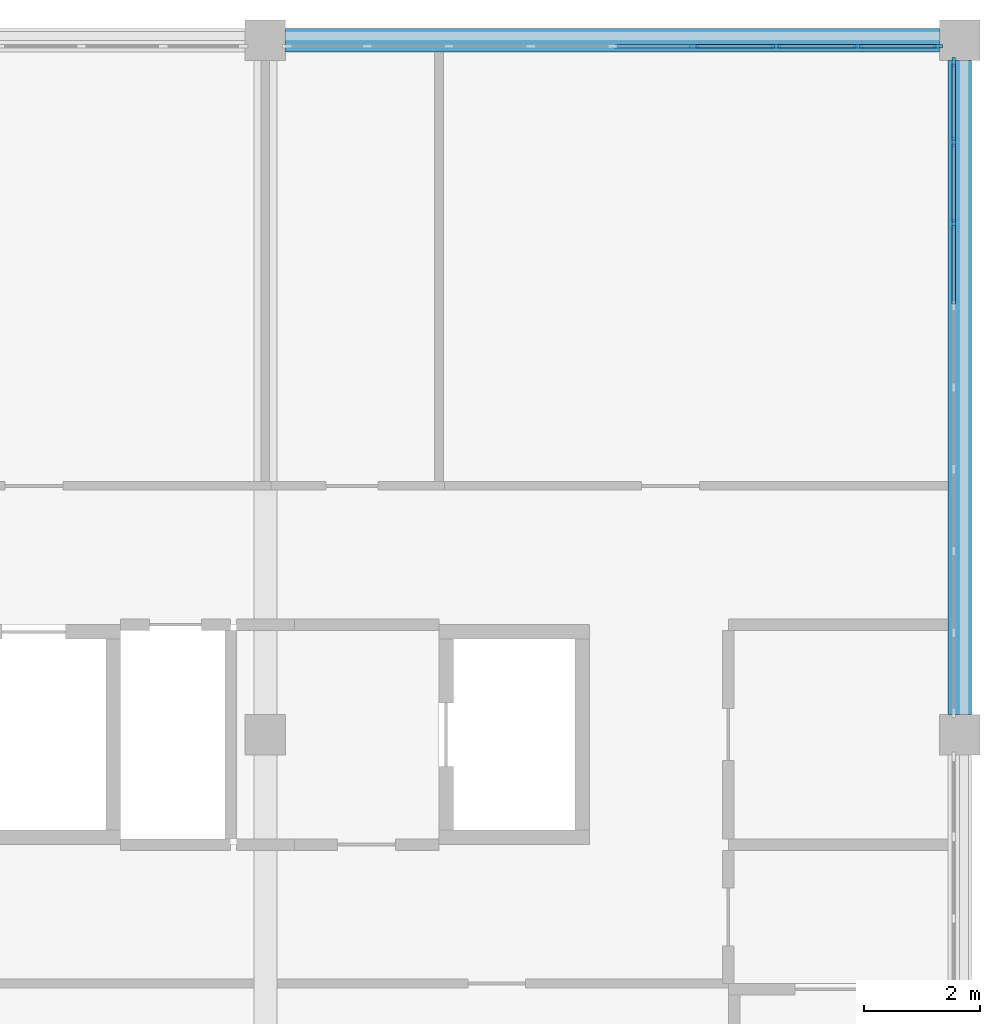
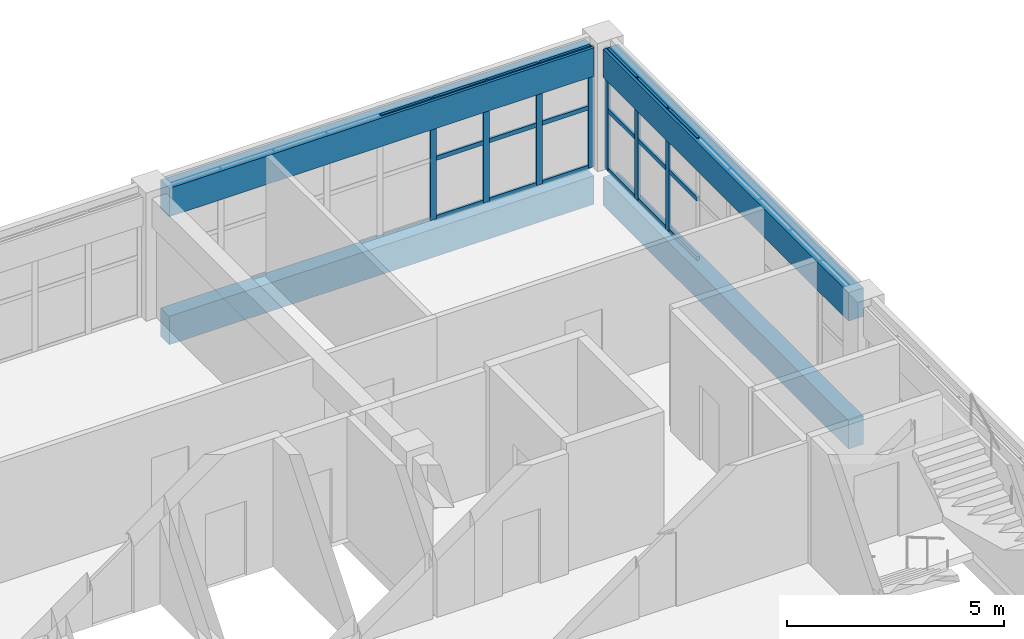
# One storey, part 9 of 16: 26 members, 4 beams, 2 elements without a shape of their own.
"""IFC4 building model written with IfcOpenShell, lengths in metres."""

from ifc_helpers import new_model, si_unit, direction, frame, origin, origin_2d, place, context, subcontext, project, spatial, rectangle, extrude, material, layer, layer_set, material_profile, profile_set, type_object, element, aggregate, save


model = new_model("IFC4")

# Units and contexts
model_context = context("Model", 3, precision=1e-05, world=origin(), true_north=direction((0.0, 1.0)))
body_context = subcontext(model_context, "Body", "Model", "MODEL_VIEW")
ifc_project = project(units=[si_unit("LENGTHUNIT", "METRE"), si_unit("AREAUNIT", "SQUARE_METRE"), si_unit("VOLUMEUNIT", "CUBIC_METRE"), si_unit("PLANEANGLEUNIT", "RADIAN"), si_unit("MASSUNIT", "GRAM", prefix="KILO")], contexts=[model_context])

# Site, building, storey
site_placement = place(None, origin())
site = spatial("IfcSite", under=ifc_project, at=site_placement, CompositionType="ELEMENT")
building_placement = place(site_placement, origin())
building = spatial("IfcBuilding", under=site, at=building_placement, Name="Lilac Gate Convention Centre", CompositionType="ELEMENT")
storey_placement = place(building_placement, frame((0.0, 0.0, 67.800048828125)))
storey = spatial("IfcBuildingStorey", under=building, at=storey_placement, Name="L17", CompositionType="ELEMENT", Elevation=67.800048828125)

# Curtain wall, members
ifc_material_1 = material(Name="Aluminium framed double glazing", Category="aluminium")
ifc_layer = layer(ifc_material_1, 0.199951171875)
ifc_layer_set = layer_set([ifc_layer], Name="Aluminium framed double glazing")
curtain_wall_type = type_object("IfcCurtainWallType", Name="Unitised curtain wall 1500", PredefinedType="NOTDEFINED", material=ifc_layer_set)
curtain_wall_1_placement = place(storey_placement, origin())
curtain_wall_1 = element("IfcCurtainWall", 1, at=curtain_wall_1_placement, inside=storey, type_object=curtain_wall_type, Name="Curtain wall E L17 2", PredefinedType="NOTDEFINED")
ifc_material_2 = material(Name="Aluminium alloy 6063", Category="aluminium")
ifc_material_profile_1 = material_profile(ifc_material_2, rectangle(XDim=0.06005859375, YDim=0.159912109375, at=origin_2d()), Name="Curtain wall mullion 60 x 160")
ifc_profile_set_1 = profile_set([ifc_material_profile_1], Name="Aluminium alloy 6063")
member_type_1 = type_object("IfcMemberType", Name="Curtain wall mullion 60 x 160", PredefinedType="MULLION", material=ifc_profile_set_1)
member_1_placement = place(storey_placement, frame((89.89990234375, 242.824951171875, 0.0), z_axis=(0.0, 0.0, 1.0), x_axis=(-1.0, 0.0, 0.0)))
member_1 = element("IfcMember", 2, at=member_1_placement, type_object=member_type_1, Name="CW mullion 7", PredefinedType="MULLION", context=body_context, shape_type="SweptSolid", body=[
    extrude(rectangle(XDim=0.06005859375, YDim=0.159912109375, at=origin_2d()), origin(), (0.0, 0.0, 1.0), 3.39990234375),
])
member_2_placement = place(storey_placement, frame((89.89990234375, 244.237548828125, 0.0), z_axis=(0.0, 0.0, 1.0), x_axis=(-1.0, 0.0, 0.0)))
member_2 = element("IfcMember", 3, at=member_2_placement, type_object=member_type_1, Name="CW mullion 8", PredefinedType="MULLION", context=body_context, shape_type="SweptSolid", body=[
    extrude(rectangle(XDim=0.06005859375, YDim=0.159912109375, at=origin_2d()), origin(), (0.0, 0.0, 1.0), 3.39990234375),
])
member_3_placement = place(storey_placement, frame((89.89990234375, 245.619873046875, 0.0), z_axis=(0.0, 0.0, 1.0), x_axis=(-1.0, 0.0, 0.0)))
member_3 = element("IfcMember", 4, at=member_3_placement, type_object=member_type_1, Name="CW mullion 9", PredefinedType="MULLION", context=body_context, shape_type="SweptSolid", body=[
    extrude(rectangle(XDim=0.06005859375, YDim=0.159912109375, at=origin_2d()), origin(), (0.0, 0.0, 1.0), 3.39990234375),
])

curtain_wall_2_placement = place(storey_placement, origin())
curtain_wall_2 = element("IfcCurtainWall", 5, at=curtain_wall_2_placement, inside=storey, type_object=curtain_wall_type, Name="Curtain wall N L17 1", PredefinedType="NOTDEFINED")
member_4_placement = place(storey_placement, frame((89.619873046875, 245.89990234375, 0.0), z_axis=(0.0, 0.0, 1.0), x_axis=(0.0, -1.0, 0.0)))
member_4 = element("IfcMember", 6, at=member_4_placement, type_object=member_type_1, Name="CW mullion 1", PredefinedType="MULLION", context=body_context, shape_type="SweptSolid", body=[
    extrude(rectangle(XDim=0.06005859375, YDim=0.159912109375, at=origin_2d()), origin(), (0.0, 0.0, 1.0), 3.39990234375),
])
member_5_placement = place(storey_placement, frame((88.237548828125, 245.89990234375, 0.0), z_axis=(0.0, 0.0, 1.0), x_axis=(0.0, -1.0, 0.0)))
member_5 = element("IfcMember", 7, at=member_5_placement, type_object=member_type_1, Name="CW mullion 2", PredefinedType="MULLION", context=body_context, shape_type="SweptSolid", body=[
    extrude(rectangle(XDim=0.06005859375, YDim=0.159912109375, at=origin_2d()), origin(), (0.0, 0.0, 1.0), 3.39990234375),
])
member_6_placement = place(storey_placement, frame((86.824951171875, 245.89990234375, 0.0), z_axis=(0.0, 0.0, 1.0), x_axis=(0.0, -1.0, 0.0)))
member_6 = element("IfcMember", 8, at=member_6_placement, type_object=member_type_1, Name="CW mullion 3", PredefinedType="MULLION", context=body_context, shape_type="SweptSolid", body=[
    extrude(rectangle(XDim=0.06005859375, YDim=0.159912109375, at=origin_2d()), origin(), (0.0, 0.0, 1.0), 3.39990234375),
])
member_7_placement = place(storey_placement, frame((85.41259765625, 245.89990234375, 0.0), z_axis=(0.0, 0.0, 1.0), x_axis=(0.0, -1.0, 0.0)))
member_7 = element("IfcMember", 9, at=member_7_placement, type_object=member_type_1, Name="CW mullion 4", PredefinedType="MULLION", context=body_context, shape_type="SweptSolid", body=[
    extrude(rectangle(XDim=0.06005859375, YDim=0.159912109375, at=origin_2d()), origin(), (0.0, 0.0, 1.0), 3.39990234375),
])

# Member
ifc_material_profile_2 = material_profile(ifc_material_2, rectangle(XDim=0.06005859375, YDim=0.1201171875, at=origin_2d()), Name="Curtain wall transom 60 x 120")
ifc_profile_set_2 = profile_set([ifc_material_profile_2], Name="Aluminium alloy 6063")
member_type_2 = type_object("IfcMemberType", Name="Curtain wall transom 60 x 120", PredefinedType="USERDEFINED", material=ifc_profile_set_2)
member_8_placement = place(storey_placement, frame((89.89990234375, 241.4423828125, 0.030029296875), z_axis=(0.0, 1.0, 0.0), x_axis=(-1.0, 0.0, 0.0)))
member_8 = element("IfcMember", 10, at=member_8_placement, type_object=member_type_2, Name="CW transom 6.1", ObjectType="TRANSOM", PredefinedType="USERDEFINED", context=body_context, shape_type="SweptSolid", body=[
    extrude(rectangle(XDim=0.06005859375, YDim=0.1201171875, at=origin_2d()), origin(), (0.0, 0.0, 1.0), 1.3525390625),
])

member_9_placement = place(storey_placement, frame((89.89990234375, 241.4423828125, 1.699951171875), z_axis=(0.0, 1.0, 0.0), x_axis=(-1.0, 0.0, 0.0)))
member_9 = element("IfcMember", 11, at=member_9_placement, type_object=member_type_2, Name="CW transom 6.2", ObjectType="TRANSOM", PredefinedType="USERDEFINED", context=body_context, shape_type="SweptSolid", body=[
    extrude(rectangle(XDim=0.06005859375, YDim=0.1201171875, at=origin_2d()), origin(), (0.0, 0.0, 1.0), 1.3525390625),
])

member_10_placement = place(storey_placement, frame((89.89990234375, 241.4423828125, 3.369873046875), z_axis=(0.0, 1.0, 0.0), x_axis=(-1.0, 0.0, 0.0)))
member_10 = element("IfcMember", 12, at=member_10_placement, type_object=member_type_2, Name="CW transom 6.3", ObjectType="TRANSOM", PredefinedType="USERDEFINED", context=body_context, shape_type="SweptSolid", body=[
    extrude(rectangle(XDim=0.06005859375, YDim=0.1201171875, at=origin_2d()), origin(), (0.0, 0.0, 1.0), 1.3525390625),
])

member_11_placement = place(storey_placement, frame((89.89990234375, 242.85498046875, 0.030029296875), z_axis=(0.0, 1.0, 0.0), x_axis=(-1.0, 0.0, 0.0)))
member_11 = element("IfcMember", 13, at=member_11_placement, type_object=member_type_2, Name="CW transom 7.1", ObjectType="TRANSOM", PredefinedType="USERDEFINED", context=body_context, shape_type="SweptSolid", body=[
    extrude(rectangle(XDim=0.06005859375, YDim=0.1201171875, at=origin_2d()), origin(), (0.0, 0.0, 1.0), 1.3525390625),
])

member_12_placement = place(storey_placement, frame((89.89990234375, 242.85498046875, 1.699951171875), z_axis=(0.0, 1.0, 0.0), x_axis=(-1.0, 0.0, 0.0)))
member_12 = element("IfcMember", 14, at=member_12_placement, type_object=member_type_2, Name="CW transom 7.2", ObjectType="TRANSOM", PredefinedType="USERDEFINED", context=body_context, shape_type="SweptSolid", body=[
    extrude(rectangle(XDim=0.06005859375, YDim=0.1201171875, at=origin_2d()), origin(), (0.0, 0.0, 1.0), 1.3525390625),
])

member_13_placement = place(storey_placement, frame((89.89990234375, 242.85498046875, 3.369873046875), z_axis=(0.0, 1.0, 0.0), x_axis=(-1.0, 0.0, 0.0)))
member_13 = element("IfcMember", 15, at=member_13_placement, type_object=member_type_2, Name="CW transom 7.3", ObjectType="TRANSOM", PredefinedType="USERDEFINED", context=body_context, shape_type="SweptSolid", body=[
    extrude(rectangle(XDim=0.06005859375, YDim=0.1201171875, at=origin_2d()), origin(), (0.0, 0.0, 1.0), 1.3525390625),
])

member_14_placement = place(storey_placement, frame((89.89990234375, 244.267333984375, 0.030029296875), z_axis=(0.0, 1.0, 0.0), x_axis=(-1.0, 0.0, 0.0)))
member_14 = element("IfcMember", 16, at=member_14_placement, type_object=member_type_2, Name="CW transom 8.1", ObjectType="TRANSOM", PredefinedType="USERDEFINED", context=body_context, shape_type="SweptSolid", body=[
    extrude(rectangle(XDim=0.06005859375, YDim=0.1201171875, at=origin_2d()), origin(), (0.0, 0.0, 1.0), 1.322509765625),
])

member_15_placement = place(storey_placement, frame((89.89990234375, 244.267333984375, 1.699951171875), z_axis=(0.0, 1.0, 0.0), x_axis=(-1.0, 0.0, 0.0)))
member_15 = element("IfcMember", 17, at=member_15_placement, type_object=member_type_2, Name="CW transom 8.2", ObjectType="TRANSOM", PredefinedType="USERDEFINED", context=body_context, shape_type="SweptSolid", body=[
    extrude(rectangle(XDim=0.06005859375, YDim=0.1201171875, at=origin_2d()), origin(), (0.0, 0.0, 1.0), 1.322509765625),
])

member_16_placement = place(storey_placement, frame((89.89990234375, 244.267333984375, 3.369873046875), z_axis=(0.0, 1.0, 0.0), x_axis=(-1.0, 0.0, 0.0)))
member_16 = element("IfcMember", 18, at=member_16_placement, type_object=member_type_2, Name="CW transom 8.3", ObjectType="TRANSOM", PredefinedType="USERDEFINED", context=body_context, shape_type="SweptSolid", body=[
    extrude(rectangle(XDim=0.06005859375, YDim=0.1201171875, at=origin_2d()), origin(), (0.0, 0.0, 1.0), 1.322509765625),
])

aggregate(curtain_wall_1, [member_1, member_2, member_3, member_8, member_9, member_10, member_11, member_12, member_13, member_14, member_15, member_16])

member_17_placement = place(storey_placement, frame((89.58984375, 245.89990234375, 0.030029296875), z_axis=(-1.0, 0.0, 0.0), x_axis=(0.0, -1.0, 0.0)))
member_17 = element("IfcMember", 19, at=member_17_placement, type_object=member_type_2, Name="CW transom 1.1", ObjectType="TRANSOM", PredefinedType="USERDEFINED", context=body_context, shape_type="SweptSolid", body=[
    extrude(rectangle(XDim=0.06005859375, YDim=0.1201171875, at=origin_2d()), origin(), (0.0, 0.0, 1.0), 1.322509765625),
])

member_18_placement = place(storey_placement, frame((89.58984375, 245.89990234375, 1.699951171875), z_axis=(-1.0, 0.0, 0.0), x_axis=(0.0, -1.0, 0.0)))
member_18 = element("IfcMember", 20, at=member_18_placement, type_object=member_type_2, Name="CW transom 1.2", ObjectType="TRANSOM", PredefinedType="USERDEFINED", context=body_context, shape_type="SweptSolid", body=[
    extrude(rectangle(XDim=0.06005859375, YDim=0.1201171875, at=origin_2d()), origin(), (0.0, 0.0, 1.0), 1.322509765625),
])

member_19_placement = place(storey_placement, frame((89.58984375, 245.89990234375, 3.369873046875), z_axis=(-1.0, 0.0, 0.0), x_axis=(0.0, -1.0, 0.0)))
member_19 = element("IfcMember", 21, at=member_19_placement, type_object=member_type_2, Name="CW transom 1.3", ObjectType="TRANSOM", PredefinedType="USERDEFINED", context=body_context, shape_type="SweptSolid", body=[
    extrude(rectangle(XDim=0.06005859375, YDim=0.1201171875, at=origin_2d()), origin(), (0.0, 0.0, 1.0), 1.322509765625),
])

member_20_placement = place(storey_placement, frame((88.20751953125, 245.89990234375, 0.030029296875), z_axis=(-1.0, 0.0, 0.0), x_axis=(0.0, -1.0, 0.0)))
member_20 = element("IfcMember", 22, at=member_20_placement, type_object=member_type_2, Name="CW transom 2.1", ObjectType="TRANSOM", PredefinedType="USERDEFINED", context=body_context, shape_type="SweptSolid", body=[
    extrude(rectangle(XDim=0.06005859375, YDim=0.1201171875, at=origin_2d()), origin(), (0.0, 0.0, 1.0), 1.3525390625),
])

member_21_placement = place(storey_placement, frame((88.20751953125, 245.89990234375, 1.699951171875), z_axis=(-1.0, 0.0, 0.0), x_axis=(0.0, -1.0, 0.0)))
member_21 = element("IfcMember", 23, at=member_21_placement, type_object=member_type_2, Name="CW transom 2.2", ObjectType="TRANSOM", PredefinedType="USERDEFINED", context=body_context, shape_type="SweptSolid", body=[
    extrude(rectangle(XDim=0.06005859375, YDim=0.1201171875, at=origin_2d()), origin(), (0.0, 0.0, 1.0), 1.3525390625),
])

member_22_placement = place(storey_placement, frame((88.20751953125, 245.89990234375, 3.369873046875), z_axis=(-1.0, 0.0, 0.0), x_axis=(0.0, -1.0, 0.0)))
member_22 = element("IfcMember", 24, at=member_22_placement, type_object=member_type_2, Name="CW transom 2.3", ObjectType="TRANSOM", PredefinedType="USERDEFINED", context=body_context, shape_type="SweptSolid", body=[
    extrude(rectangle(XDim=0.06005859375, YDim=0.1201171875, at=origin_2d()), origin(), (0.0, 0.0, 1.0), 1.3525390625),
])

member_23_placement = place(storey_placement, frame((86.794921875, 245.89990234375, 0.030029296875), z_axis=(-1.0, 0.0, 0.0), x_axis=(0.0, -1.0, 0.0)))
member_23 = element("IfcMember", 25, at=member_23_placement, type_object=member_type_2, Name="CW transom 3.1", ObjectType="TRANSOM", PredefinedType="USERDEFINED", context=body_context, shape_type="SweptSolid", body=[
    extrude(rectangle(XDim=0.06005859375, YDim=0.1201171875, at=origin_2d()), origin(), (0.0, 0.0, 1.0), 1.3525390625),
])

member_24_placement = place(storey_placement, frame((86.794921875, 245.89990234375, 1.699951171875), z_axis=(-1.0, 0.0, 0.0), x_axis=(0.0, -1.0, 0.0)))
member_24 = element("IfcMember", 26, at=member_24_placement, type_object=member_type_2, Name="CW transom 3.2", ObjectType="TRANSOM", PredefinedType="USERDEFINED", context=body_context, shape_type="SweptSolid", body=[
    extrude(rectangle(XDim=0.06005859375, YDim=0.1201171875, at=origin_2d()), origin(), (0.0, 0.0, 1.0), 1.3525390625),
])

member_25_placement = place(storey_placement, frame((86.794921875, 245.89990234375, 3.369873046875), z_axis=(-1.0, 0.0, 0.0), x_axis=(0.0, -1.0, 0.0)))
member_25 = element("IfcMember", 27, at=member_25_placement, type_object=member_type_2, Name="CW transom 3.3", ObjectType="TRANSOM", PredefinedType="USERDEFINED", context=body_context, shape_type="SweptSolid", body=[
    extrude(rectangle(XDim=0.06005859375, YDim=0.1201171875, at=origin_2d()), origin(), (0.0, 0.0, 1.0), 1.3525390625),
])

member_26_placement = place(storey_placement, frame((85.382568359375, 245.89990234375, 3.369873046875), z_axis=(-1.0, 0.0, 0.0), x_axis=(0.0, -1.0, 0.0)))
member_26 = element("IfcMember", 28, at=member_26_placement, type_object=member_type_2, Name="CW transom 4.3", ObjectType="TRANSOM", PredefinedType="USERDEFINED", context=body_context, shape_type="SweptSolid", body=[
    extrude(rectangle(XDim=0.06005859375, YDim=0.1201171875, at=origin_2d()), origin(), (0.0, 0.0, 1.0), 1.3525390625),
])

aggregate(curtain_wall_2, [member_4, member_5, member_6, member_7, member_17, member_18, member_19, member_20, member_21, member_22, member_23, member_24, member_25, member_26])

# Beams
ifc_material_3 = material(Name="Concrete C40", Category="concrete")
ifc_material_profile_3 = material_profile(ifc_material_3, rectangle(XDim=0.39990234375, YDim=0.800048828125, at=origin_2d()), Name="RC 400x800")
ifc_profile_set_3 = profile_set([ifc_material_profile_3], Name="Concrete C40")
beam_type = type_object("IfcBeamType", Name="Tower primary beam 400x800 C40", PredefinedType="BEAM", material=ifc_profile_set_3)
for number, where, z_axis, x_axis, name in (
    (29, (78.35009765625, 246.0, -0.60009765625), (1.0, 0.0, 0.0), (0.0, 1.0, 0.0), "RB3 L17 7/U-8/U"),
    (30, (90.0, 234.35009765625, -0.60009765625), (0.0, 1.0, 0.0), (-1.0, 0.0, 0.0), "RB3 L17 8/T-8/U"),
    (31, (78.35009765625, 246.0, 3.0), (1.0, 0.0, 0.0), (0.0, 1.0, 0.0), "RB3 L17 7/U-8/U"),
    (32, (90.0, 234.35009765625, 3.0), (0.0, 1.0, 0.0), (-1.0, 0.0, 0.0), "RB3 L17 8/T-8/U"),
):
    element("IfcBeam", number, at=place(storey_placement, frame(where, z_axis=z_axis, x_axis=x_axis)), inside=storey, type_object=beam_type, Name=name, PredefinedType="BEAM", context=body_context, shape_type="SweptSolid", body=[
        extrude(rectangle(XDim=0.39990234375, YDim=0.800048828125, at=origin_2d()), origin(), (0.0, 0.0, 1.0), 11.2998046875),
    ])

save(model, "model.ifc")
